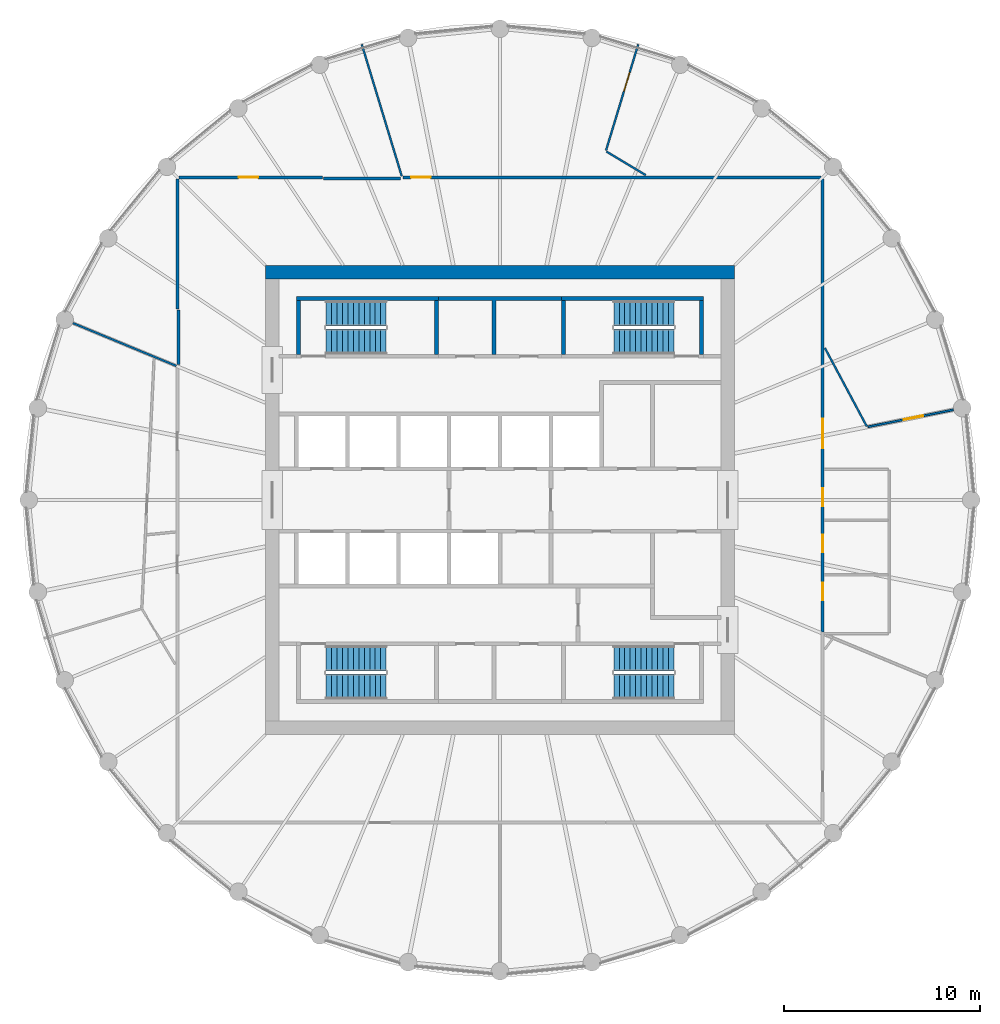
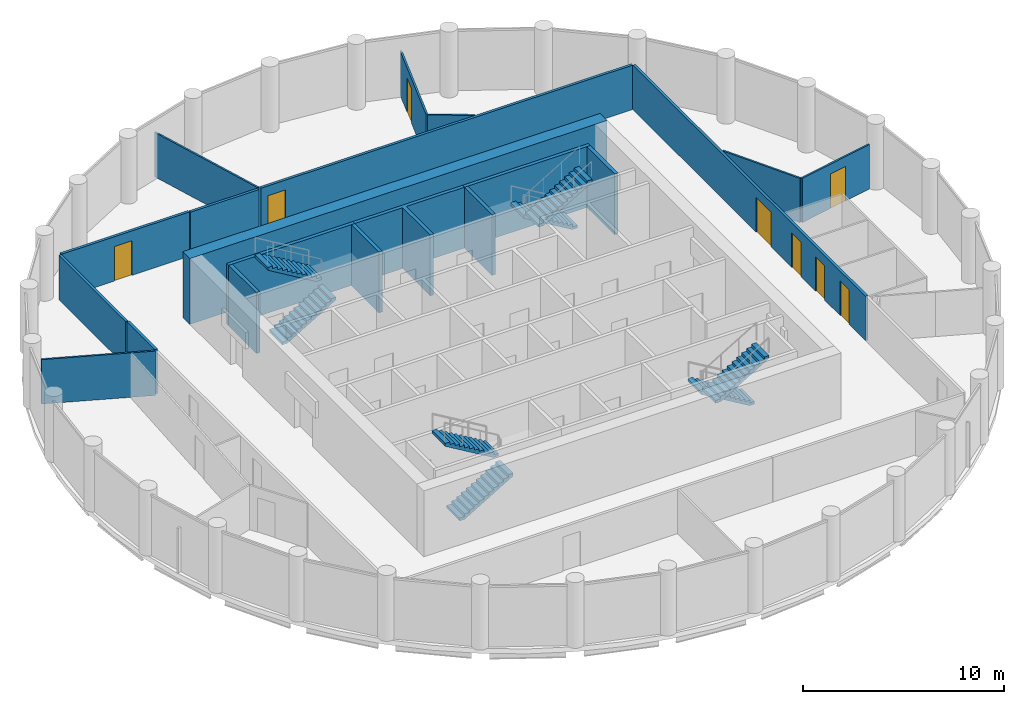
# One storey, part 6 of 7: 20 walls, 8 doors, 8 stair flights, 8 openings, 4 elements without a shape of their own.
"""IFC4 building model written with IfcOpenShell, lengths in metres."""

from ifc_helpers import new_model, si_unit, direction, frame, frame_2d, origin, place, context, subcontext, project, spatial, polyline, rectangle, outline, extrude, material, layer, layer_set, type_object, element, fill, aggregate, save


model = new_model("IFC4")

# Units and contexts
model_context = context("Model", 3, precision=1e-05, world=origin(), true_north=direction((0.0, 1.0)))
body_context = subcontext(model_context, "Body", "Model", "MODEL_VIEW")
ifc_project = project(units=[si_unit("LENGTHUNIT", "METRE"), si_unit("AREAUNIT", "SQUARE_METRE"), si_unit("VOLUMEUNIT", "CUBIC_METRE"), si_unit("PLANEANGLEUNIT", "RADIAN"), si_unit("MASSUNIT", "GRAM", prefix="KILO")], contexts=[model_context])

# Site, building, storey
site_placement = place(None, origin())
site = spatial("IfcSite", under=ifc_project, at=site_placement, CompositionType="ELEMENT")
building_placement = place(site_placement, origin())
building = spatial("IfcBuilding", under=site, at=building_placement, Name="Corvane Civic Tower", CompositionType="ELEMENT")
storey_placement = place(building_placement, frame((0.0, 0.0, 307.0)))
storey = spatial("IfcBuildingStorey", under=building, at=storey_placement, Name="L73", CompositionType="ELEMENT", Elevation=307.0)

# Walls
ifc_material_1 = material(Name="Concrete C40/50", Category="concrete")
ifc_layer_1 = layer(ifc_material_1, 0.699951171875)
ifc_layer_set_1 = layer_set([ifc_layer_1], Name="Concrete C40/50")
wall_type_1 = type_object("IfcWallType", Name="CORE WALL 700 C40/50", PredefinedType="SHEAR", material=ifc_layer_set_1)
wall_1_placement = place(storey_placement, frame((-12.0, 11.64990234375, 0.0), z_axis=(0.0, 0.0, 1.0), x_axis=(1.0, 0.0, 0.0)))
element("IfcWall", 1, at=wall_1_placement, inside=storey, type_object=wall_type_1, Name="W-L73-core-N", PredefinedType="SHEAR", context=body_context, shape_type="SweptSolid", body=[
    extrude(rectangle(XDim=24.0, YDim=0.699951171875, at=frame_2d((12.0, 0.0))), origin(), (0.0, 0.0, 1.0), 4.0),
])
ifc_material_2 = material(Name="Concrete C30/37", Category="concrete")
ifc_layer_2 = layer(ifc_material_2, 0.199951171875)
ifc_layer_set_2 = layer_set([ifc_layer_2], Name="Concrete C30/37")
wall_type_2 = type_object("IfcWallType", Name="CR-WALL-200", PredefinedType="PARTITIONING", material=ifc_layer_set_2)
wall_2_placement = place(storey_placement, origin())
element("IfcWall", 2, at=wall_2_placement, inside=storey, type_object=wall_type_2, Name="L73 core partition wall", PredefinedType="PARTITIONING", context=body_context, shape_type="SweptSolid", body=[
    extrude(outline(polyline([(3.14990234375, 10.39990234375), (3.14990234375, 10.199951171875), (-0.199951171875, 10.199951171875), (-0.199951171875, 7.449951171875), (-0.39990234375, 7.449951171875), (-0.39990234375, 10.199951171875), (-3.14990234375, 10.199951171875), (-3.14990234375, 10.39990234375), (3.14990234375, 10.39990234375)])), origin(), (0.0, 0.0, 1.0), 3.699951171875),
])

# Wall, opening, door
ifc_material_3 = material(Name="Plasterboard")
ifc_layer_3 = layer(ifc_material_3, 0.10009765625)
ifc_layer_set_3 = layer_set([ifc_layer_3], Name="Plasterboard")
wall_type_3 = type_object("IfcWallType", Name="Partition 100 plasterboard on studs", PredefinedType="PARTITIONING", material=ifc_layer_set_3)
wall_3_placement = place(storey_placement, frame((18.8125, 3.741943359375, 0.0), z_axis=(0.0, 0.0, 1.0), x_axis=(0.980786508615, 0.195084147278, 0.0)))
wall_3 = element("IfcWall", 3, at=wall_3_placement, inside=storey, type_object=wall_type_3, Name="Partition L73.019", PredefinedType="PARTITIONING", context=body_context, shape_type="SweptSolid", body=[
    extrude(rectangle(XDim=4.458984375, YDim=0.10009765625, at=frame_2d((2.2294921875, 0.0))), origin(), (0.0, 0.0, 1.0), 2.699951171875),
])
opening_1_placement = place(wall_3_placement, frame((1.8740234375, 0.0, 0.0)))
opening_1 = element("IfcOpeningElement", 4, at=opening_1_placement, cuts=wall_3, Name="Opening L73.011", PredefinedType="OPENING", context=body_context, shape_type="SweptSolid", body=[
    extrude(rectangle(XDim=1.0, YDim=2.10009765625, at=frame_2d((0.5, 1.050048828125))), frame((0.0, 0.06005859375, 0.0), z_axis=(0.0, -1.0, 0.0), x_axis=(1.0, 0.0, 0.0)), (0.0, 0.0, 1.0), 0.1201171875),
])
ifc_material_4 = material(Name="Timber", Category="wood")
door_type_1 = type_object("IfcDoorType", Name="Single door 1000", OperationType="NOTDEFINED", PredefinedType="DOOR", material=ifc_material_4)
door_1_placement = place(opening_1_placement, origin())
door_1 = element("IfcDoor", 5, at=door_1_placement, inside=storey, type_object=door_type_1, Name="Door L73.011", OperationType="SINGLE_SWING_RIGHT", OverallHeight=2.10009765625, OverallWidth=1.0, PredefinedType="DOOR", context=body_context, shape_type="SweptSolid", body=[
    extrude(rectangle(XDim=1.0, YDim=2.10009765625, at=frame_2d((0.5, 1.050048828125))), frame((0.0, 0.02490234375, 0.0), z_axis=(0.0, -1.0, 0.0), x_axis=(1.0, 0.0, 0.0)), (0.0, 0.0, 1.0), 0.050048828125),
])
fill(opening_1, door_1)

# Walls
wall_4_placement = place(storey_placement, frame((16.619140625, 7.7705078125, 0.0), z_axis=(0.0, 0.0, 1.0), x_axis=(0.471403238748, -0.881917788968, 0.0)))
element("IfcWall", 6, at=wall_4_placement, inside=storey, type_object=wall_type_3, Name="Partition L73.020", PredefinedType="PARTITIONING", context=body_context, shape_type="SweptSolid", body=[
    extrude(rectangle(XDim=4.538818359375, YDim=0.10009765625, at=frame_2d((2.26953125, 0.0))), origin(), (0.0, 0.0, 1.0), 2.699951171875),
])
wall_5_placement = place(storey_placement, frame((-21.84033203125, 9.046630859375, 0.0), z_axis=(0.0, 0.0, 1.0), x_axis=(0.923868475838, -0.382710124445, 0.0)))
element("IfcWall", 7, at=wall_5_placement, inside=storey, type_object=wall_type_3, Name="Partition L73.021", PredefinedType="PARTITIONING", context=body_context, shape_type="SweptSolid", body=[
    extrude(rectangle(XDim=5.716552734375, YDim=0.10009765625, at=frame_2d((2.8583984375, 0.0))), origin(), (0.0, 0.0, 1.0), 2.699951171875),
])
wall_6_placement = place(storey_placement, frame((-7.068603515625, 23.3017578125, 0.0), z_axis=(0.0, 0.0, 1.0), x_axis=(0.290279752693, -0.956941829568, 0.0)))
element("IfcWall", 8, at=wall_6_placement, inside=storey, type_object=wall_type_3, Name="Partition L73.027", PredefinedType="PARTITIONING", context=body_context, shape_type="SweptSolid", body=[
    extrude(rectangle(XDim=7.04052734375, YDim=0.10009765625, at=frame_2d((3.520263671875, 0.0))), origin(), (0.0, 0.0, 1.0), 2.699951171875),
])
wall_7_placement = place(storey_placement, frame((5.4453125, 17.820556640625, 0.0), z_axis=(0.0, 0.0, 1.0), x_axis=(0.857741449861, -0.514081321574, 0.0)))
element("IfcWall", 9, at=wall_7_placement, inside=storey, type_object=wall_type_3, Name="Partition L73.028", PredefinedType="PARTITIONING", context=body_context, shape_type="SweptSolid", body=[
    extrude(rectangle(XDim=2.33935546875, YDim=0.10009765625, at=frame_2d((1.169677734375, 0.0))), origin(), (0.0, 0.0, 1.0), 2.699951171875),
])

# Wall, opening, door
wall_8_placement = place(storey_placement, frame((5.423095703125, 17.8779296875, 0.0), z_axis=(0.0, 0.0, 1.0), x_axis=(0.290318207756, 0.956930163724, 0.0)))
wall_8 = element("IfcWall", 10, at=wall_8_placement, inside=storey, type_object=wall_type_3, Name="Partition L73.029", PredefinedType="PARTITIONING", context=body_context, shape_type="SweptSolid", body=[
    extrude(rectangle(XDim=5.66796875, YDim=0.10009765625, at=frame_2d((2.833984375, 0.0))), origin(), (0.0, 0.0, 1.0), 2.699951171875),
])
opening_2_placement = place(wall_8_placement, frame((3.16748046875, 0.0, 0.0)))
opening_2 = element("IfcOpeningElement", 11, at=opening_2_placement, cuts=wall_8, Name="Opening L73.010", PredefinedType="OPENING", context=body_context, shape_type="SweptSolid", body=[
    extrude(rectangle(XDim=1.0, YDim=2.10009765625, at=frame_2d((0.5, 1.050048828125))), frame((0.0, 0.06005859375, 0.0), z_axis=(0.0, -1.0, 0.0), x_axis=(1.0, 0.0, 0.0)), (0.0, 0.0, 1.0), 0.1201171875),
])
door_2_placement = place(opening_2_placement, frame((1.0, 0.0, 0.0), z_axis=(0.0, 0.0, 1.0), x_axis=(-1.0, 0.0, 0.0)))
door_2 = element("IfcDoor", 12, at=door_2_placement, inside=storey, type_object=door_type_1, Name="Door L73.010", OperationType="SINGLE_SWING_LEFT", OverallHeight=2.10009765625, OverallWidth=1.0, PredefinedType="DOOR", context=body_context, shape_type="SweptSolid", body=[
    extrude(rectangle(XDim=1.0, YDim=2.10009765625, at=frame_2d((0.5, 1.050048828125))), frame((0.0, 0.02490234375, 0.0), z_axis=(0.0, -1.0, 0.0), x_axis=(1.0, 0.0, 0.0)), (0.0, 0.0, 1.0), 0.050048828125),
])
fill(opening_2, door_2)

# Walls
ifc_material_5 = material(Name="Concrete C50/60", Category="concrete")
ifc_layer_4 = layer(ifc_material_5, 0.199951171875)
ifc_layer_set_4 = layer_set([ifc_layer_4], Name="Concrete C50/60")
wall_type_4 = type_object("IfcWallType", Name="ST-WALL-200", PredefinedType="SHEAR", material=ifc_layer_set_4)
wall_9_placement = place(storey_placement, origin())
element("IfcWall", 13, at=wall_9_placement, inside=storey, type_object=wall_type_4, Name="L73 stair enclosure wall", PredefinedType="SHEAR", context=body_context, shape_type="SweptSolid", body=[
    extrude(outline(polyline([(-3.14990234375, 10.199951171875), (-10.39990234375, 10.199951171875), (-10.39990234375, 10.39990234375), (-3.14990234375, 10.39990234375), (-3.14990234375, 10.199951171875)])), origin(), (0.0, 0.0, 1.0), 3.699951171875),
])
wall_10_placement = place(storey_placement, origin())
element("IfcWall", 14, at=wall_10_placement, inside=storey, type_object=wall_type_4, Name="L73 stair enclosure wall", PredefinedType="SHEAR", context=body_context, shape_type="SweptSolid", body=[
    extrude(outline(polyline([(10.39990234375, 10.199951171875), (3.14990234375, 10.199951171875), (3.14990234375, 10.39990234375), (10.39990234375, 10.39990234375), (10.39990234375, 10.199951171875)])), origin(), (0.0, 0.0, 1.0), 3.699951171875),
])
wall_11_placement = place(storey_placement, origin())
element("IfcWall", 15, at=wall_11_placement, inside=storey, type_object=wall_type_4, Name="L73 stair enclosure wall", PredefinedType="SHEAR", context=body_context, shape_type="SweptSolid", body=[
    extrude(outline(polyline([(-3.14990234375, 7.449951171875), (-3.35009765625, 7.449951171875), (-3.35009765625, 10.199951171875), (-3.14990234375, 10.199951171875), (-3.14990234375, 7.449951171875)])), origin(), (0.0, 0.0, 1.0), 3.699951171875),
])
wall_12_placement = place(storey_placement, origin())
element("IfcWall", 16, at=wall_12_placement, inside=storey, type_object=wall_type_4, Name="L73 stair enclosure wall", PredefinedType="SHEAR", context=body_context, shape_type="SweptSolid", body=[
    extrude(outline(polyline([(3.35009765625, 7.449951171875), (3.14990234375, 7.449951171875), (3.14990234375, 10.199951171875), (3.35009765625, 10.199951171875), (3.35009765625, 7.449951171875)])), origin(), (0.0, 0.0, 1.0), 3.699951171875),
])
wall_13_placement = place(storey_placement, origin())
element("IfcWall", 17, at=wall_13_placement, inside=storey, type_object=wall_type_4, Name="L73 stair enclosure wall", PredefinedType="SHEAR", context=body_context, shape_type="SweptSolid", body=[
    extrude(outline(polyline([(-10.199951171875, 7.449951171875), (-10.39990234375, 7.449951171875), (-10.39990234375, 10.199951171875), (-10.199951171875, 10.199951171875), (-10.199951171875, 7.449951171875)])), origin(), (0.0, 0.0, 1.0), 3.699951171875),
])
wall_14_placement = place(storey_placement, origin())
element("IfcWall", 18, at=wall_14_placement, inside=storey, type_object=wall_type_4, Name="L73 stair enclosure wall", PredefinedType="SHEAR", context=body_context, shape_type="SweptSolid", body=[
    extrude(outline(polyline([(10.39990234375, 7.449951171875), (10.199951171875, 7.449951171875), (10.199951171875, 10.199951171875), (10.39990234375, 10.199951171875), (10.39990234375, 7.449951171875)])), origin(), (0.0, 0.0, 1.0), 3.699951171875),
])

# Wall, openings, doors
ifc_material_6 = material(Name="Plasterboard")
ifc_layer_5 = layer(ifc_material_6, 0.14990234375)
ifc_layer_set_5 = layer_set([ifc_layer_5], Name="Plasterboard")
wall_type_5 = type_object("IfcWallType", Name="Tenancy wall 150 EI 60", PredefinedType="PARTITIONING", material=ifc_layer_set_5)
wall_15_placement = place(storey_placement, frame((16.5, -6.759521484375, 0.0), z_axis=(0.0, 0.0, 1.0), x_axis=(0.0, 1.0, 0.0)))
wall_15 = element("IfcWall", 19, at=wall_15_placement, inside=storey, type_object=wall_type_5, Name="Partition L73.013", PredefinedType="PARTITIONING", context=body_context, shape_type="SweptSolid", body=[
    extrude(rectangle(XDim=23.1845703125, YDim=0.14990234375, at=frame_2d((11.59228515625, 0.0))), origin(), (0.0, 0.0, 1.0), 2.699951171875),
])
opening_3_placement = place(wall_15_placement, frame((9.404541015625, 0.0, 0.0)))
opening_3 = element("IfcOpeningElement", 20, at=opening_3_placement, cuts=wall_15, Name="Opening L73.012", PredefinedType="OPENING", context=body_context, shape_type="SweptSolid", body=[
    extrude(rectangle(XDim=1.5, YDim=2.10009765625, at=frame_2d((0.75, 1.050048828125))), frame((0.0, 0.0849609375, 0.0), z_axis=(0.0, -1.0, 0.0), x_axis=(1.0, 0.0, 0.0)), (0.0, 0.0, 1.0), 0.169921875),
])
opening_4_placement = place(wall_15_placement, frame((1.630126953125, 0.0, 0.0)))
opening_4 = element("IfcOpeningElement", 21, at=opening_4_placement, cuts=wall_15, Name="Opening L73.013", PredefinedType="OPENING", context=body_context, shape_type="SweptSolid", body=[
    extrude(rectangle(XDim=0.89990234375, YDim=2.10009765625, at=frame_2d((0.449951171875, 1.050048828125))), frame((0.0, 0.0849609375, 0.0), z_axis=(0.0, -1.0, 0.0), x_axis=(1.0, 0.0, 0.0)), (0.0, 0.0, 1.0), 0.169921875),
])
opening_5_placement = place(wall_15_placement, frame((4.086181640625, 0.0, 0.0)))
opening_5 = element("IfcOpeningElement", 22, at=opening_5_placement, cuts=wall_15, Name="Opening L73.014", PredefinedType="OPENING", context=body_context, shape_type="SweptSolid", body=[
    extrude(rectangle(XDim=0.89990234375, YDim=2.10009765625, at=frame_2d((0.449951171875, 1.050048828125))), frame((0.0, 0.0849609375, 0.0), z_axis=(0.0, -1.0, 0.0), x_axis=(1.0, 0.0, 0.0)), (0.0, 0.0, 1.0), 0.169921875),
])
opening_6_placement = place(wall_15_placement, frame((6.45068359375, 0.0, 0.0)))
opening_6 = element("IfcOpeningElement", 23, at=opening_6_placement, cuts=wall_15, Name="Opening L73.015", PredefinedType="OPENING", context=body_context, shape_type="SweptSolid", body=[
    extrude(rectangle(XDim=0.89990234375, YDim=2.10009765625, at=frame_2d((0.449951171875, 1.050048828125))), frame((0.0, 0.0849609375, 0.0), z_axis=(0.0, -1.0, 0.0), x_axis=(1.0, 0.0, 0.0)), (0.0, 0.0, 1.0), 0.169921875),
])
ifc_material_7 = material(Name="Steel and timber", Category="steel")
door_type_2 = type_object("IfcDoorType", Name="Fire door FD30S 900", OperationType="NOTDEFINED", PredefinedType="DOOR", material=ifc_material_7)
door_3_placement = place(opening_4_placement, frame((0.89990234375, 0.0, 0.0), z_axis=(0.0, 0.0, 1.0), x_axis=(-1.0, 0.0, 0.0)))
door_3 = element("IfcDoor", 24, at=door_3_placement, inside=storey, type_object=door_type_2, Name="Door L73.013", OperationType="SINGLE_SWING_LEFT", OverallHeight=2.10009765625, OverallWidth=0.89990234375, PredefinedType="DOOR", context=body_context, shape_type="SweptSolid", body=[
    extrude(rectangle(XDim=0.89990234375, YDim=2.10009765625, at=frame_2d((0.449951171875, 1.050048828125))), frame((0.0, 0.02490234375, 0.0), z_axis=(0.0, -1.0, 0.0), x_axis=(1.0, 0.0, 0.0)), (0.0, 0.0, 1.0), 0.050048828125),
])
fill(opening_4, door_3)
door_4_placement = place(opening_5_placement, frame((0.89990234375, 0.0, 0.0), z_axis=(0.0, 0.0, 1.0), x_axis=(-1.0, 0.0, 0.0)))
door_4 = element("IfcDoor", 25, at=door_4_placement, inside=storey, type_object=door_type_2, Name="Door L73.014", OperationType="SINGLE_SWING_RIGHT", OverallHeight=2.10009765625, OverallWidth=0.89990234375, PredefinedType="DOOR", context=body_context, shape_type="SweptSolid", body=[
    extrude(rectangle(XDim=0.89990234375, YDim=2.10009765625, at=frame_2d((0.449951171875, 1.050048828125))), frame((0.0, 0.02490234375, 0.0), z_axis=(0.0, -1.0, 0.0), x_axis=(1.0, 0.0, 0.0)), (0.0, 0.0, 1.0), 0.050048828125),
])
fill(opening_5, door_4)
door_5_placement = place(opening_6_placement, frame((0.89990234375, 0.0, 0.0), z_axis=(0.0, 0.0, 1.0), x_axis=(-1.0, 0.0, 0.0)))
door_5 = element("IfcDoor", 26, at=door_5_placement, inside=storey, type_object=door_type_2, Name="Door L73.015", OperationType="SINGLE_SWING_LEFT", OverallHeight=2.10009765625, OverallWidth=0.89990234375, PredefinedType="DOOR", context=body_context, shape_type="SweptSolid", body=[
    extrude(rectangle(XDim=0.89990234375, YDim=2.10009765625, at=frame_2d((0.449951171875, 1.050048828125))), frame((0.0, 0.02490234375, 0.0), z_axis=(0.0, -1.0, 0.0), x_axis=(1.0, 0.0, 0.0)), (0.0, 0.0, 1.0), 0.050048828125),
])
fill(opening_6, door_5)
ifc_material_8 = material(Name="Steel and timber", Category="steel")
door_type_3 = type_object("IfcDoorType", Name="Fire door FD60 double 1500", OperationType="NOTDEFINED", PredefinedType="DOOR", material=ifc_material_8)
door_6_placement = place(opening_3_placement, frame((1.5, 0.0, 0.0), z_axis=(0.0, 0.0, 1.0), x_axis=(-1.0, 0.0, 0.0)))
door_6 = element("IfcDoor", 27, at=door_6_placement, inside=storey, type_object=door_type_3, Name="Door L73.012", OperationType="DOUBLE_DOOR_SINGLE_SWING", OverallHeight=2.10009765625, OverallWidth=1.5, PredefinedType="DOOR", context=body_context, shape_type="SweptSolid", body=[
    extrude(rectangle(XDim=1.5, YDim=2.10009765625, at=frame_2d((0.75, 1.050048828125))), frame((0.0, 0.02490234375, 0.0), z_axis=(0.0, -1.0, 0.0), x_axis=(1.0, 0.0, 0.0)), (0.0, 0.0, 1.0), 0.050048828125),
])
fill(opening_3, door_6)

# Walls
wall_16_placement = place(storey_placement, frame((-16.449951171875, 6.926025390625, 0.0), z_axis=(0.0, 0.0, 1.0), x_axis=(0.0, 1.0, 0.0)))
element("IfcWall", 28, at=wall_16_placement, inside=storey, type_object=wall_type_5, Name="Partition L73.022", PredefinedType="PARTITIONING", context=body_context, shape_type="SweptSolid", body=[
    extrude(rectangle(XDim=2.792236328125, YDim=0.14990234375, at=frame_2d((1.39599609375, 0.0))), origin(), (0.0, 0.0, 1.0), 2.699951171875),
])
wall_17_placement = place(storey_placement, frame((-16.5, 9.768310546875, 0.0), z_axis=(0.0, 0.0, 1.0), x_axis=(0.0, 1.0, 0.0)))
element("IfcWall", 29, at=wall_17_placement, inside=storey, type_object=wall_type_5, Name="Partition L73.023", PredefinedType="PARTITIONING", context=body_context, shape_type="SweptSolid", body=[
    extrude(rectangle(XDim=6.65673828125, YDim=0.14990234375, at=frame_2d((3.328369140625, 0.0))), origin(), (0.0, 0.0, 1.0), 2.699951171875),
])
wall_18_placement = place(storey_placement, frame((-9.017578125, 16.449951171875, 0.0), z_axis=(0.0, 0.0, 1.0), x_axis=(1.0, 0.0, 0.0)))
element("IfcWall", 30, at=wall_18_placement, inside=storey, type_object=wall_type_5, Name="Partition L73.024", PredefinedType="PARTITIONING", context=body_context, shape_type="SweptSolid", body=[
    extrude(rectangle(XDim=3.92626953125, YDim=0.14990234375, at=frame_2d((1.963134765625, 0.0))), origin(), (0.0, 0.0, 1.0), 2.699951171875),
])

# Wall, opening, door
wall_19_placement = place(storey_placement, frame((-16.425048828125, 16.5, 0.0), z_axis=(0.0, 0.0, 1.0), x_axis=(1.0, 0.0, 0.0)))
wall_19 = element("IfcWall", 31, at=wall_19_placement, inside=storey, type_object=wall_type_5, Name="Partition L73.025", PredefinedType="PARTITIONING", context=body_context, shape_type="SweptSolid", body=[
    extrude(rectangle(XDim=7.357666015625, YDim=0.14990234375, at=frame_2d((3.6787109375, 0.0))), origin(), (0.0, 0.0, 1.0), 2.699951171875),
])
opening_7_placement = place(wall_19_placement, frame((3.057861328125, 0.0, 0.0)))
opening_7 = element("IfcOpeningElement", 32, at=opening_7_placement, cuts=wall_19, Name="Opening L73.008", PredefinedType="OPENING", context=body_context, shape_type="SweptSolid", body=[
    extrude(rectangle(XDim=1.0, YDim=2.10009765625, at=frame_2d((0.5, 1.050048828125))), frame((0.0, 0.0849609375, 0.0), z_axis=(0.0, -1.0, 0.0), x_axis=(1.0, 0.0, 0.0)), (0.0, 0.0, 1.0), 0.169921875),
])
ifc_material_9 = material(Name="Steel and timber", Category="steel")
door_type_4 = type_object("IfcDoorType", Name="Fire door FD30S 1000", OperationType="NOTDEFINED", PredefinedType="DOOR", material=ifc_material_9)
door_7_placement = place(opening_7_placement, origin())
door_7 = element("IfcDoor", 33, at=door_7_placement, inside=storey, type_object=door_type_4, Name="Door L73.008", OperationType="SINGLE_SWING_RIGHT", OverallHeight=2.10009765625, OverallWidth=1.0, PredefinedType="DOOR", context=body_context, shape_type="SweptSolid", body=[
    extrude(rectangle(XDim=1.0, YDim=2.10009765625, at=frame_2d((0.5, 1.050048828125))), frame((0.0, 0.02490234375, 0.0), z_axis=(0.0, -1.0, 0.0), x_axis=(1.0, 0.0, 0.0)), (0.0, 0.0, 1.0), 0.050048828125),
])
fill(opening_7, door_7)

wall_20_placement = place(storey_placement, frame((-4.94970703125, 16.5, 0.0), z_axis=(0.0, 0.0, 1.0), x_axis=(1.0, 0.0, 0.0)))
wall_20 = element("IfcWall", 34, at=wall_20_placement, inside=storey, type_object=wall_type_5, Name="Partition L73.026", PredefinedType="PARTITIONING", context=body_context, shape_type="SweptSolid", body=[
    extrude(rectangle(XDim=21.374755859375, YDim=0.14990234375, at=frame_2d((10.6875, 0.0))), origin(), (0.0, 0.0, 1.0), 2.699951171875),
])
opening_8_placement = place(wall_20_placement, frame((0.39990234375, 0.0, 0.0)))
opening_8 = element("IfcOpeningElement", 35, at=opening_8_placement, cuts=wall_20, Name="Opening L73.009", PredefinedType="OPENING", context=body_context, shape_type="SweptSolid", body=[
    extrude(rectangle(XDim=1.0, YDim=2.10009765625, at=frame_2d((0.5, 1.050048828125))), frame((0.0, 0.0849609375, 0.0), z_axis=(0.0, -1.0, 0.0), x_axis=(1.0, 0.0, 0.0)), (0.0, 0.0, 1.0), 0.169921875),
])
door_8_placement = place(opening_8_placement, origin())
door_8 = element("IfcDoor", 36, at=door_8_placement, inside=storey, type_object=door_type_4, Name="Door L73.009", OperationType="SINGLE_SWING_LEFT", OverallHeight=2.10009765625, OverallWidth=1.0, PredefinedType="DOOR", context=body_context, shape_type="SweptSolid", body=[
    extrude(rectangle(XDim=1.0, YDim=2.10009765625, at=frame_2d((0.5, 1.050048828125))), frame((0.0, 0.02490234375, 0.0), z_axis=(0.0, -1.0, 0.0), x_axis=(1.0, 0.0, 0.0)), (0.0, 0.0, 1.0), 0.050048828125),
])
fill(opening_8, door_8)

# Stair, stair flights
ifc_material_10 = material(Name="Concrete C40/50", Category="concrete")
stair_type = type_object("IfcStairType", Name="ST-STAIR-HALFTURN", PredefinedType="HALF_TURN_STAIR", material=ifc_material_10)
stair_1_placement = place(storey_placement, origin())
stair_1 = element("IfcStair", 37, at=stair_1_placement, inside=storey, type_object=stair_type, Name="L73 Exit stair ST1", PredefinedType="HALF_TURN_STAIR")
ifc_material_11 = material(Name="Concrete C40/50", Category="concrete")
stair_flight_type = type_object("IfcStairFlightType", Name="ST-FLIGHT-RC", PredefinedType="STRAIGHT", material=ifc_material_11)
stair_flight_1_placement = place(storey_placement, frame((8.89990234375, 9.550048828125, 0.0), z_axis=(0.0, 0.0, 1.0), x_axis=(-1.0, 0.0, 0.0)))
stair_flight_1 = element("IfcStairFlight", 38, at=stair_flight_1_placement, type_object=stair_flight_type, Name="ST1 flight 1", NumberOfRisers=12, NumberOfTreads=11, PredefinedType="STRAIGHT", RiserHeight=0.166666667, TreadLength=0.28, context=body_context, shape_type="SweptSolid", body=[
    extrude(outline(polyline([(0.0, 0.0), (0.0, 0.166748046875), (0.280029296875, 0.166748046875), (0.280029296875, 0.333251953125), (0.56005859375, 0.333251953125), (0.56005859375, 0.5), (0.840087890625, 0.5), (0.840087890625, 0.666748046875), (1.1201171875, 0.666748046875), (1.1201171875, 0.833251953125), (1.39990234375, 0.833251953125), (1.39990234375, 1.0), (1.679931640625, 1.0), (1.679931640625, 1.166748046875), (1.9599609375, 1.166748046875), (1.9599609375, 1.333251953125), (2.239990234375, 1.333251953125), (2.239990234375, 1.5), (2.52001953125, 1.5), (2.52001953125, 1.666748046875), (2.800048828125, 1.666748046875), (2.800048828125, 1.833251953125), (3.080078125, 1.833251953125), (3.080078125, 2.0), (3.080078125, 1.658935546875), (0.29296875, 0.0), (0.0, 0.0)])), frame((0.0, 0.64990234375, 0.0), z_axis=(0.0, -1.0, 0.0), x_axis=(1.0, 0.0, 0.0)), (0.0, 0.0, 1.0), 1.300048828125),
])
stair_flight_2_placement = place(storey_placement, frame((5.820068359375, 8.10009765625, 2.0), z_axis=(0.0, 0.0, 1.0), x_axis=(1.0, 0.0, 0.0)))
stair_flight_2 = element("IfcStairFlight", 39, at=stair_flight_2_placement, type_object=stair_flight_type, Name="ST1 flight 2", NumberOfRisers=12, NumberOfTreads=11, PredefinedType="STRAIGHT", RiserHeight=0.166666667, TreadLength=0.28, context=body_context, shape_type="SweptSolid", body=[
    extrude(outline(polyline([(0.0, 0.0), (0.0, 0.166748046875), (0.280029296875, 0.166748046875), (0.280029296875, 0.333251953125), (0.56005859375, 0.333251953125), (0.56005859375, 0.5), (0.840087890625, 0.5), (0.840087890625, 0.666748046875), (1.1201171875, 0.666748046875), (1.1201171875, 0.833251953125), (1.39990234375, 0.833251953125), (1.39990234375, 1.0), (1.679931640625, 1.0), (1.679931640625, 1.166748046875), (1.9599609375, 1.166748046875), (1.9599609375, 1.333251953125), (2.239990234375, 1.333251953125), (2.239990234375, 1.5), (2.52001953125, 1.5), (2.52001953125, 1.666748046875), (2.800048828125, 1.666748046875), (2.800048828125, 1.833251953125), (3.080078125, 1.833251953125), (3.080078125, 2.0), (3.080078125, 1.658935546875), (0.29296875, 0.0), (0.0, 0.0)])), frame((0.0, 0.64990234375, 0.0), z_axis=(0.0, -1.0, 0.0), x_axis=(1.0, 0.0, 0.0)), (0.0, 0.0, 1.0), 1.300048828125),
])
aggregate(stair_1, [stair_flight_1, stair_flight_2])

stair_2_placement = place(storey_placement, origin())
stair_2 = element("IfcStair", 40, at=stair_2_placement, inside=storey, type_object=stair_type, Name="L73 Exit stair ST2", PredefinedType="HALF_TURN_STAIR")
stair_flight_3_placement = place(storey_placement, frame((8.89990234375, -8.10009765625, 0.0), z_axis=(0.0, 0.0, 1.0), x_axis=(-1.0, 0.0, 0.0)))
stair_flight_3 = element("IfcStairFlight", 41, at=stair_flight_3_placement, type_object=stair_flight_type, Name="ST2 flight 1", NumberOfRisers=12, NumberOfTreads=11, PredefinedType="STRAIGHT", RiserHeight=0.166666667, TreadLength=0.28, context=body_context, shape_type="SweptSolid", body=[
    extrude(outline(polyline([(0.0, 0.0), (0.0, 0.166748046875), (0.280029296875, 0.166748046875), (0.280029296875, 0.333251953125), (0.56005859375, 0.333251953125), (0.56005859375, 0.5), (0.840087890625, 0.5), (0.840087890625, 0.666748046875), (1.1201171875, 0.666748046875), (1.1201171875, 0.833251953125), (1.39990234375, 0.833251953125), (1.39990234375, 1.0), (1.679931640625, 1.0), (1.679931640625, 1.166748046875), (1.9599609375, 1.166748046875), (1.9599609375, 1.333251953125), (2.239990234375, 1.333251953125), (2.239990234375, 1.5), (2.52001953125, 1.5), (2.52001953125, 1.666748046875), (2.800048828125, 1.666748046875), (2.800048828125, 1.833251953125), (3.080078125, 1.833251953125), (3.080078125, 2.0), (3.080078125, 1.658935546875), (0.29296875, 0.0), (0.0, 0.0)])), frame((0.0, 0.64990234375, 0.0), z_axis=(0.0, -1.0, 0.0), x_axis=(1.0, 0.0, 0.0)), (0.0, 0.0, 1.0), 1.300048828125),
])
stair_flight_4_placement = place(storey_placement, frame((5.820068359375, -9.550048828125, 2.0), z_axis=(0.0, 0.0, 1.0), x_axis=(1.0, 0.0, 0.0)))
stair_flight_4 = element("IfcStairFlight", 42, at=stair_flight_4_placement, type_object=stair_flight_type, Name="ST2 flight 2", NumberOfRisers=12, NumberOfTreads=11, PredefinedType="STRAIGHT", RiserHeight=0.166666667, TreadLength=0.28, context=body_context, shape_type="SweptSolid", body=[
    extrude(outline(polyline([(0.0, 0.0), (0.0, 0.166748046875), (0.280029296875, 0.166748046875), (0.280029296875, 0.333251953125), (0.56005859375, 0.333251953125), (0.56005859375, 0.5), (0.840087890625, 0.5), (0.840087890625, 0.666748046875), (1.1201171875, 0.666748046875), (1.1201171875, 0.833251953125), (1.39990234375, 0.833251953125), (1.39990234375, 1.0), (1.679931640625, 1.0), (1.679931640625, 1.166748046875), (1.9599609375, 1.166748046875), (1.9599609375, 1.333251953125), (2.239990234375, 1.333251953125), (2.239990234375, 1.5), (2.52001953125, 1.5), (2.52001953125, 1.666748046875), (2.800048828125, 1.666748046875), (2.800048828125, 1.833251953125), (3.080078125, 1.833251953125), (3.080078125, 2.0), (3.080078125, 1.658935546875), (0.29296875, 0.0), (0.0, 0.0)])), frame((0.0, 0.64990234375, 0.0), z_axis=(0.0, -1.0, 0.0), x_axis=(1.0, 0.0, 0.0)), (0.0, 0.0, 1.0), 1.300048828125),
])
aggregate(stair_2, [stair_flight_3, stair_flight_4])

stair_3_placement = place(storey_placement, origin())
stair_3 = element("IfcStair", 43, at=stair_3_placement, inside=storey, type_object=stair_type, Name="L73 Exit stair ST3", PredefinedType="HALF_TURN_STAIR")
stair_flight_5_placement = place(storey_placement, frame((-8.89990234375, -9.550048828125, 0.0), z_axis=(0.0, 0.0, 1.0), x_axis=(1.0, 0.0, 0.0)))
stair_flight_5 = element("IfcStairFlight", 44, at=stair_flight_5_placement, type_object=stair_flight_type, Name="ST3 flight 1", NumberOfRisers=12, NumberOfTreads=11, PredefinedType="STRAIGHT", RiserHeight=0.166666667, TreadLength=0.28, context=body_context, shape_type="SweptSolid", body=[
    extrude(outline(polyline([(0.0, 0.0), (0.0, 0.166748046875), (0.280029296875, 0.166748046875), (0.280029296875, 0.333251953125), (0.56005859375, 0.333251953125), (0.56005859375, 0.5), (0.840087890625, 0.5), (0.840087890625, 0.666748046875), (1.1201171875, 0.666748046875), (1.1201171875, 0.833251953125), (1.39990234375, 0.833251953125), (1.39990234375, 1.0), (1.679931640625, 1.0), (1.679931640625, 1.166748046875), (1.9599609375, 1.166748046875), (1.9599609375, 1.333251953125), (2.239990234375, 1.333251953125), (2.239990234375, 1.5), (2.52001953125, 1.5), (2.52001953125, 1.666748046875), (2.800048828125, 1.666748046875), (2.800048828125, 1.833251953125), (3.080078125, 1.833251953125), (3.080078125, 2.0), (3.080078125, 1.658935546875), (0.29296875, 0.0), (0.0, 0.0)])), frame((0.0, 0.64990234375, 0.0), z_axis=(0.0, -1.0, 0.0), x_axis=(1.0, 0.0, 0.0)), (0.0, 0.0, 1.0), 1.300048828125),
])
stair_flight_6_placement = place(storey_placement, frame((-5.820068359375, -8.10009765625, 2.0), z_axis=(0.0, 0.0, 1.0), x_axis=(-1.0, 0.0, 0.0)))
stair_flight_6 = element("IfcStairFlight", 45, at=stair_flight_6_placement, type_object=stair_flight_type, Name="ST3 flight 2", NumberOfRisers=12, NumberOfTreads=11, PredefinedType="STRAIGHT", RiserHeight=0.166666667, TreadLength=0.28, context=body_context, shape_type="SweptSolid", body=[
    extrude(outline(polyline([(0.0, 0.0), (0.0, 0.166748046875), (0.280029296875, 0.166748046875), (0.280029296875, 0.333251953125), (0.56005859375, 0.333251953125), (0.56005859375, 0.5), (0.840087890625, 0.5), (0.840087890625, 0.666748046875), (1.1201171875, 0.666748046875), (1.1201171875, 0.833251953125), (1.39990234375, 0.833251953125), (1.39990234375, 1.0), (1.679931640625, 1.0), (1.679931640625, 1.166748046875), (1.9599609375, 1.166748046875), (1.9599609375, 1.333251953125), (2.239990234375, 1.333251953125), (2.239990234375, 1.5), (2.52001953125, 1.5), (2.52001953125, 1.666748046875), (2.800048828125, 1.666748046875), (2.800048828125, 1.833251953125), (3.080078125, 1.833251953125), (3.080078125, 2.0), (3.080078125, 1.658935546875), (0.29296875, 0.0), (0.0, 0.0)])), frame((0.0, 0.64990234375, 0.0), z_axis=(0.0, -1.0, 0.0), x_axis=(1.0, 0.0, 0.0)), (0.0, 0.0, 1.0), 1.300048828125),
])
aggregate(stair_3, [stair_flight_5, stair_flight_6])

stair_4_placement = place(storey_placement, origin())
stair_4 = element("IfcStair", 46, at=stair_4_placement, inside=storey, type_object=stair_type, Name="L73 Exit stair ST4", PredefinedType="HALF_TURN_STAIR")
stair_flight_7_placement = place(storey_placement, frame((-8.89990234375, 8.10009765625, 0.0), z_axis=(0.0, 0.0, 1.0), x_axis=(1.0, 0.0, 0.0)))
stair_flight_7 = element("IfcStairFlight", 47, at=stair_flight_7_placement, type_object=stair_flight_type, Name="ST4 flight 1", NumberOfRisers=12, NumberOfTreads=11, PredefinedType="STRAIGHT", RiserHeight=0.166666667, TreadLength=0.28, context=body_context, shape_type="SweptSolid", body=[
    extrude(outline(polyline([(0.0, 0.0), (0.0, 0.166748046875), (0.280029296875, 0.166748046875), (0.280029296875, 0.333251953125), (0.56005859375, 0.333251953125), (0.56005859375, 0.5), (0.840087890625, 0.5), (0.840087890625, 0.666748046875), (1.1201171875, 0.666748046875), (1.1201171875, 0.833251953125), (1.39990234375, 0.833251953125), (1.39990234375, 1.0), (1.679931640625, 1.0), (1.679931640625, 1.166748046875), (1.9599609375, 1.166748046875), (1.9599609375, 1.333251953125), (2.239990234375, 1.333251953125), (2.239990234375, 1.5), (2.52001953125, 1.5), (2.52001953125, 1.666748046875), (2.800048828125, 1.666748046875), (2.800048828125, 1.833251953125), (3.080078125, 1.833251953125), (3.080078125, 2.0), (3.080078125, 1.658935546875), (0.29296875, 0.0), (0.0, 0.0)])), frame((0.0, 0.64990234375, 0.0), z_axis=(0.0, -1.0, 0.0), x_axis=(1.0, 0.0, 0.0)), (0.0, 0.0, 1.0), 1.300048828125),
])
stair_flight_8_placement = place(storey_placement, frame((-5.820068359375, 9.550048828125, 2.0), z_axis=(0.0, 0.0, 1.0), x_axis=(-1.0, 0.0, 0.0)))
stair_flight_8 = element("IfcStairFlight", 48, at=stair_flight_8_placement, type_object=stair_flight_type, Name="ST4 flight 2", NumberOfRisers=12, NumberOfTreads=11, PredefinedType="STRAIGHT", RiserHeight=0.166666667, TreadLength=0.28, context=body_context, shape_type="SweptSolid", body=[
    extrude(outline(polyline([(0.0, 0.0), (0.0, 0.166748046875), (0.280029296875, 0.166748046875), (0.280029296875, 0.333251953125), (0.56005859375, 0.333251953125), (0.56005859375, 0.5), (0.840087890625, 0.5), (0.840087890625, 0.666748046875), (1.1201171875, 0.666748046875), (1.1201171875, 0.833251953125), (1.39990234375, 0.833251953125), (1.39990234375, 1.0), (1.679931640625, 1.0), (1.679931640625, 1.166748046875), (1.9599609375, 1.166748046875), (1.9599609375, 1.333251953125), (2.239990234375, 1.333251953125), (2.239990234375, 1.5), (2.52001953125, 1.5), (2.52001953125, 1.666748046875), (2.800048828125, 1.666748046875), (2.800048828125, 1.833251953125), (3.080078125, 1.833251953125), (3.080078125, 2.0), (3.080078125, 1.658935546875), (0.29296875, 0.0), (0.0, 0.0)])), frame((0.0, 0.64990234375, 0.0), z_axis=(0.0, -1.0, 0.0), x_axis=(1.0, 0.0, 0.0)), (0.0, 0.0, 1.0), 1.300048828125),
])
aggregate(stair_4, [stair_flight_7, stair_flight_8])

save(model, "model.ifc")
